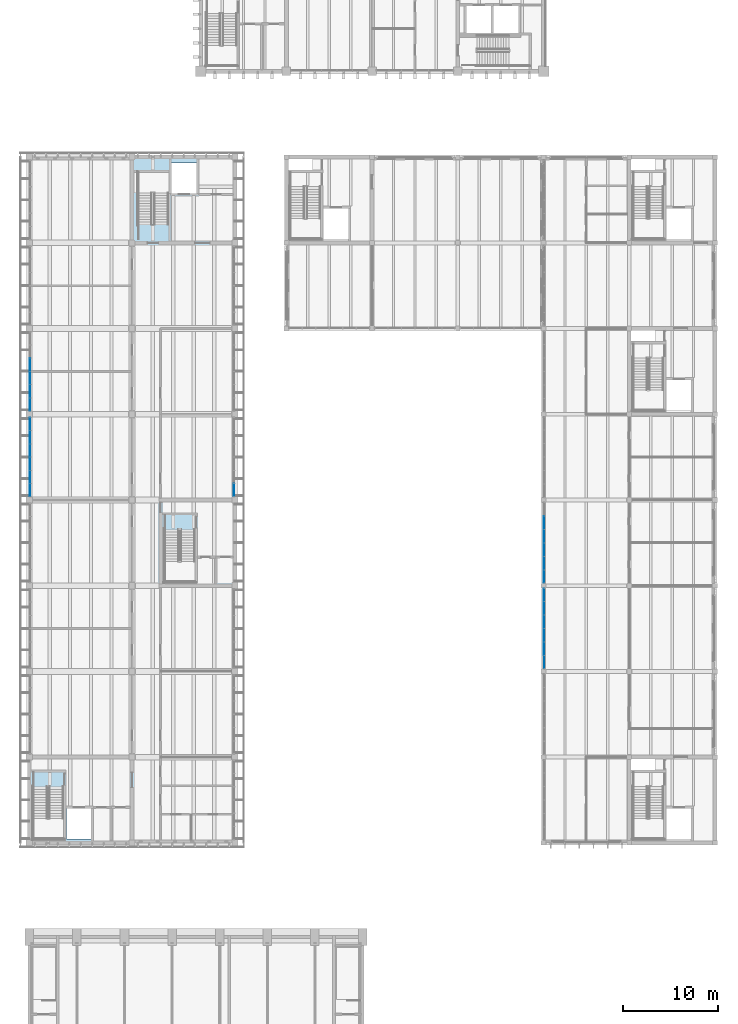
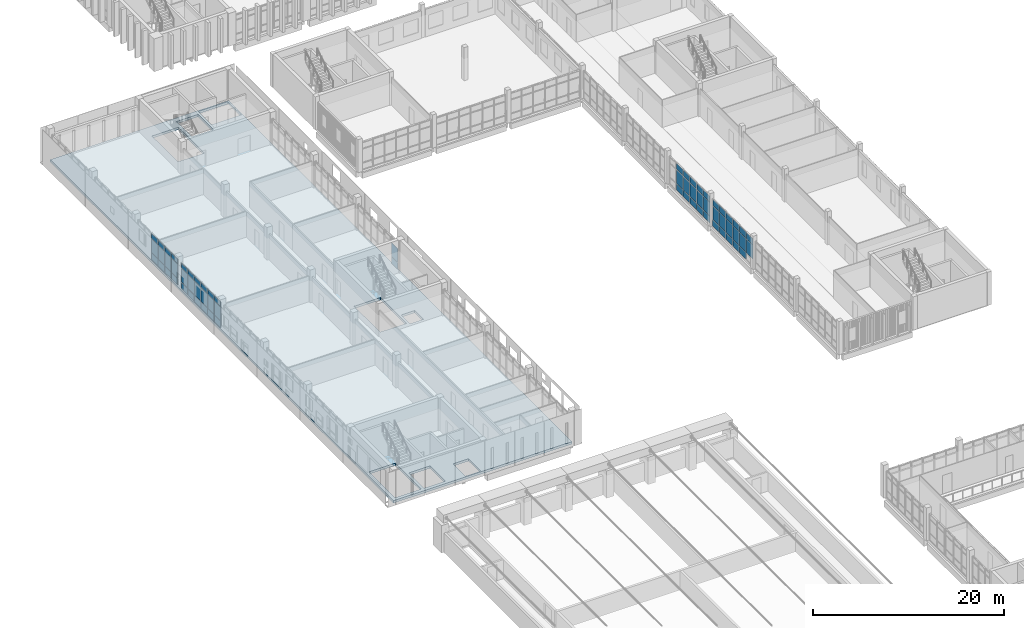
# One storey, part 40 of 92: 64 plates, 1 slab, 5 elements without a shape of their own.
"""IFC4 building model written with IfcOpenShell, lengths in metres."""

from ifc_helpers import new_model, si_unit, direction, frame, origin, origin_2d, place, context, subcontext, project, spatial, polyline, rectangle, outline, extrude, material, layer, layer_set, type_object, element, aggregate, save


model = new_model("IFC4")

# Units and contexts
model_context = context("Model", 3, precision=1e-05, world=origin(), true_north=direction((0.0, 1.0)))
body_context = subcontext(model_context, "Body", "Model", "MODEL_VIEW")
ifc_project = project(units=[si_unit("LENGTHUNIT", "METRE"), si_unit("AREAUNIT", "SQUARE_METRE"), si_unit("VOLUMEUNIT", "CUBIC_METRE"), si_unit("PLANEANGLEUNIT", "RADIAN"), si_unit("MASSUNIT", "GRAM", prefix="KILO")], contexts=[model_context])

# Site, building, storey
site_placement = place(None, origin())
site = spatial("IfcSite", under=ifc_project, at=site_placement, CompositionType="ELEMENT")
building_placement = place(site_placement, origin())
building = spatial("IfcBuilding", under=site, at=building_placement, Name="Merrow Basin Faculty of Sciences", CompositionType="ELEMENT")
storey_placement = place(building_placement, frame((0.0, 0.0, 4.5)))
storey = spatial("IfcBuildingStorey", under=building, at=storey_placement, Name="L01", CompositionType="ELEMENT", Elevation=4.5)

# Slab
ifc_material_1 = material(Name="Concrete C40/50", Category="concrete")
ifc_layer_1 = layer(ifc_material_1, 0.300048828125)
ifc_layer_set_1 = layer_set([ifc_layer_1], Name="Floor slab 300 Concrete C40/50")
slab_type = type_object("IfcSlabType", Name="Floor slab 300 Concrete C40/50", PredefinedType="FLOOR", material=ifc_layer_set_1)
slab_placement = place(storey_placement, frame((0.0, 0.0, -0.300048828125)))
element("IfcSlab", 1, at=slab_placement, inside=storey, type_object=slab_type, Name="SL11 floor L01 001", PredefinedType="FLOOR", context=body_context, shape_type="SweptSolid", body=[
    extrude(outline(polyline([(21.60009765625, 133.0), (21.60009765625, 61.0), (0.0, 61.0), (0.0, 133.0), (21.60009765625, 133.0)]), holes=[polyline([(21.449951171875, 130.074951171875), (21.449951171875, 132.85009765625), (17.824951171875, 132.85009765625), (17.824951171875, 130.074951171875), (21.449951171875, 130.074951171875)]), polyline([(19.2890625, 88.14990234375), (19.2890625, 90.0), (17.675048828125, 90.0), (17.675048828125, 88.14990234375), (19.2890625, 88.14990234375)]), polyline([(17.550048828125, 129.199951171875), (17.550048828125, 132.39990234375), (14.949951171875, 132.39990234375), (14.949951171875, 129.199951171875), (17.550048828125, 129.199951171875)]), polyline([(17.39990234375, 88.39990234375), (17.39990234375, 93.85009765625), (14.199951171875, 93.85009765625), (14.199951171875, 88.39990234375), (17.39990234375, 88.39990234375)]), polyline([(14.60009765625, 125.949951171875), (14.60009765625, 131.39990234375), (11.39990234375, 131.39990234375), (11.39990234375, 125.949951171875), (14.60009765625, 125.949951171875)]), polyline([(10.64990234375, 61.14990234375), (10.64990234375, 63.72509765625), (8.791015625, 63.72509765625), (8.791015625, 61.14990234375), (10.64990234375, 61.14990234375)]), polyline([(6.5, 61.39990234375), (6.5, 64.60009765625), (3.89990234375, 64.60009765625), (3.89990234375, 61.39990234375), (6.5, 61.39990234375)]), polyline([(3.60009765625, 61.39990234375), (3.60009765625, 66.85009765625), (0.39990234375, 66.85009765625), (0.39990234375, 61.39990234375), (3.60009765625, 61.39990234375)])]), origin(), (0.0, 0.0, 1.0), 0.300048828125),
])

# Curtain wall, plates
ifc_material_2 = material(Name="Aluminium alloy 6063", Category="aluminium")
curtain_wall_type_1 = type_object("IfcCurtainWallType", Name="Bar unitised curtain wall 180", PredefinedType="NOTDEFINED", material=ifc_material_2)
curtain_wall_1_placement = place(storey_placement, origin())
curtain_wall_1 = element("IfcCurtainWall", 2, at=curtain_wall_1_placement, inside=storey, type_object=curtain_wall_type_1, Name="West curtain wall L01 4", PredefinedType="NOTDEFINED")
ifc_material_3 = material(Name="Insulated aluminium spandrel panel", Category="aluminium")
ifc_layer_2 = layer(ifc_material_3, 0.052001953125)
ifc_layer_set_2 = layer_set([ifc_layer_2], Name="Insulated spandrel panel 52")
plate_type_1 = type_object("IfcPlateType", Name="Insulated spandrel panel 52", PredefinedType="CURTAIN_PANEL", material=ifc_layer_set_2)
plate_1_placement = place(storey_placement, frame((0.090087890625, 98.035888671875, 0.06005859375), z_axis=(0.0, 0.0, 1.0), x_axis=(0.0, 1.0, 0.0)))
plate_1 = element("IfcPlate", 3, at=plate_1_placement, type_object=plate_type_1, Name="CW1 panel 1.1", PredefinedType="CURTAIN_PANEL", context=body_context, shape_type="SweptSolid", body=[
    extrude(rectangle(XDim=1.3017578125, YDim=0.052001953125, at=origin_2d()), origin(), (0.0, 0.0, 1.0), 0.81005859375),
])
plate_2_placement = place(storey_placement, frame((0.090087890625, 99.41259765625, 0.06005859375), z_axis=(0.0, 0.0, 1.0), x_axis=(0.0, 1.0, 0.0)))
plate_2 = element("IfcPlate", 4, at=plate_2_placement, type_object=plate_type_1, Name="CW1 panel 2.1", PredefinedType="CURTAIN_PANEL", context=body_context, shape_type="SweptSolid", body=[
    extrude(rectangle(XDim=1.331787109375, YDim=0.052001953125, at=origin_2d()), origin(), (0.0, 0.0, 1.0), 0.81005859375),
])
plate_3_placement = place(storey_placement, frame((0.090087890625, 100.80419921875, 0.06005859375), z_axis=(0.0, 0.0, 1.0), x_axis=(0.0, 1.0, 0.0)))
plate_3 = element("IfcPlate", 5, at=plate_3_placement, type_object=plate_type_1, Name="CW1 panel 3.1", PredefinedType="CURTAIN_PANEL", context=body_context, shape_type="SweptSolid", body=[
    extrude(rectangle(XDim=1.331787109375, YDim=0.052001953125, at=origin_2d()), origin(), (0.0, 0.0, 1.0), 0.81005859375),
])
plate_4_placement = place(storey_placement, frame((0.090087890625, 102.19580078125, 0.06005859375), z_axis=(0.0, 0.0, 1.0), x_axis=(0.0, 1.0, 0.0)))
plate_4 = element("IfcPlate", 6, at=plate_4_placement, type_object=plate_type_1, Name="CW1 panel 4.1", PredefinedType="CURTAIN_PANEL", context=body_context, shape_type="SweptSolid", body=[
    extrude(rectangle(XDim=1.331787109375, YDim=0.052001953125, at=origin_2d()), origin(), (0.0, 0.0, 1.0), 0.81005859375),
])
plate_5_placement = place(storey_placement, frame((0.090087890625, 103.58740234375, 0.06005859375), z_axis=(0.0, 0.0, 1.0), x_axis=(0.0, 1.0, 0.0)))
plate_5 = element("IfcPlate", 7, at=plate_5_placement, type_object=plate_type_1, Name="CW1 panel 5.1", PredefinedType="CURTAIN_PANEL", context=body_context, shape_type="SweptSolid", body=[
    extrude(rectangle(XDim=1.331787109375, YDim=0.052001953125, at=origin_2d()), origin(), (0.0, 0.0, 1.0), 0.81005859375),
])
plate_6_placement = place(storey_placement, frame((0.090087890625, 104.964111328125, 0.06005859375), z_axis=(0.0, 0.0, 1.0), x_axis=(0.0, 1.0, 0.0)))
plate_6 = element("IfcPlate", 8, at=plate_6_placement, type_object=plate_type_1, Name="CW1 panel 6.1", PredefinedType="CURTAIN_PANEL", context=body_context, shape_type="SweptSolid", body=[
    extrude(rectangle(XDim=1.3017578125, YDim=0.052001953125, at=origin_2d()), origin(), (0.0, 0.0, 1.0), 0.81005859375),
])

curtain_wall_2_placement = place(storey_placement, origin())
curtain_wall_2 = element("IfcCurtainWall", 9, at=curtain_wall_2_placement, inside=storey, type_object=curtain_wall_type_1, Name="West curtain wall L01 5", PredefinedType="NOTDEFINED")
plate_7_placement = place(storey_placement, frame((0.090087890625, 107.035888671875, 0.06005859375), z_axis=(0.0, 0.0, 1.0), x_axis=(0.0, 1.0, 0.0)))
plate_7 = element("IfcPlate", 10, at=plate_7_placement, type_object=plate_type_1, Name="CW1 panel 1.1", PredefinedType="CURTAIN_PANEL", context=body_context, shape_type="SweptSolid", body=[
    extrude(rectangle(XDim=1.3017578125, YDim=0.052001953125, at=origin_2d()), origin(), (0.0, 0.0, 1.0), 0.81005859375),
])
plate_8_placement = place(storey_placement, frame((0.090087890625, 108.41259765625, 0.06005859375), z_axis=(0.0, 0.0, 1.0), x_axis=(0.0, 1.0, 0.0)))
plate_8 = element("IfcPlate", 11, at=plate_8_placement, type_object=plate_type_1, Name="CW1 panel 2.1", PredefinedType="CURTAIN_PANEL", context=body_context, shape_type="SweptSolid", body=[
    extrude(rectangle(XDim=1.331787109375, YDim=0.052001953125, at=origin_2d()), origin(), (0.0, 0.0, 1.0), 0.81005859375),
])
plate_9_placement = place(storey_placement, frame((0.090087890625, 109.80419921875, 0.06005859375), z_axis=(0.0, 0.0, 1.0), x_axis=(0.0, 1.0, 0.0)))
plate_9 = element("IfcPlate", 12, at=plate_9_placement, type_object=plate_type_1, Name="CW1 panel 3.1", PredefinedType="CURTAIN_PANEL", context=body_context, shape_type="SweptSolid", body=[
    extrude(rectangle(XDim=1.331787109375, YDim=0.052001953125, at=origin_2d()), origin(), (0.0, 0.0, 1.0), 0.81005859375),
])
plate_10_placement = place(storey_placement, frame((0.090087890625, 111.19580078125, 0.06005859375), z_axis=(0.0, 0.0, 1.0), x_axis=(0.0, 1.0, 0.0)))
plate_10 = element("IfcPlate", 13, at=plate_10_placement, type_object=plate_type_1, Name="CW1 panel 4.1", PredefinedType="CURTAIN_PANEL", context=body_context, shape_type="SweptSolid", body=[
    extrude(rectangle(XDim=1.331787109375, YDim=0.052001953125, at=origin_2d()), origin(), (0.0, 0.0, 1.0), 0.81005859375),
])

# Curtain wall, plate
curtain_wall_3_placement = place(storey_placement, origin())
curtain_wall_3 = element("IfcCurtainWall", 14, at=curtain_wall_3_placement, inside=storey, type_object=curtain_wall_type_1, Name="East curtain wall L01 4", PredefinedType="NOTDEFINED")
plate_11_placement = place(storey_placement, frame((21.510009765625, 98.035888671875, 0.06005859375), z_axis=(0.0, 0.0, 1.0), x_axis=(0.0, 1.0, 0.0)))
plate_11 = element("IfcPlate", 15, at=plate_11_placement, type_object=plate_type_1, Name="CW1 panel 1.1", PredefinedType="CURTAIN_PANEL", context=body_context, shape_type="SweptSolid", body=[
    extrude(rectangle(XDim=1.3017578125, YDim=0.052001953125, at=origin_2d()), origin(), (0.0, 0.0, 1.0), 0.81005859375),
])

# Curtain wall, plates
ifc_material_4 = material(Name="Aluminium alloy 6063", Category="aluminium")
curtain_wall_type_2 = type_object("IfcCurtainWallType", Name="Court curtain wall 140", PredefinedType="NOTDEFINED", material=ifc_material_4)
curtain_wall_4_placement = place(storey_placement, origin())
curtain_wall_4 = element("IfcCurtainWall", 16, at=curtain_wall_4_placement, inside=storey, type_object=curtain_wall_type_2, Name="Court curtain wall L01 3", PredefinedType="NOTDEFINED")
plate_12_placement = place(storey_placement, frame((54.070068359375, 81.375, 0.06005859375), z_axis=(0.0, 0.0, 1.0), x_axis=(0.0, 1.0, 0.0)))
plate_12 = element("IfcPlate", 17, at=plate_12_placement, type_object=plate_type_1, Name="CW8 panel 2.1", PredefinedType="CURTAIN_PANEL", context=body_context, shape_type="SweptSolid", body=[
    extrude(rectangle(XDim=1.356689453125, YDim=0.052001953125, at=origin_2d()), origin(), (0.0, 0.0, 1.0), 0.81005859375),
])
plate_13_placement = place(storey_placement, frame((54.070068359375, 82.791748046875, 0.06005859375), z_axis=(0.0, 0.0, 1.0), x_axis=(0.0, 1.0, 0.0)))
plate_13 = element("IfcPlate", 18, at=plate_13_placement, type_object=plate_type_1, Name="CW8 panel 3.1", PredefinedType="CURTAIN_PANEL", context=body_context, shape_type="SweptSolid", body=[
    extrude(rectangle(XDim=1.356689453125, YDim=0.052001953125, at=origin_2d()), origin(), (0.0, 0.0, 1.0), 0.81005859375),
])
plate_14_placement = place(storey_placement, frame((54.070068359375, 84.208251953125, 0.06005859375), z_axis=(0.0, 0.0, 1.0), x_axis=(0.0, 1.0, 0.0)))
plate_14 = element("IfcPlate", 19, at=plate_14_placement, type_object=plate_type_1, Name="CW8 panel 4.1", PredefinedType="CURTAIN_PANEL", context=body_context, shape_type="SweptSolid", body=[
    extrude(rectangle(XDim=1.356689453125, YDim=0.052001953125, at=origin_2d()), origin(), (0.0, 0.0, 1.0), 0.81005859375),
])
plate_15_placement = place(storey_placement, frame((54.070068359375, 85.625, 0.06005859375), z_axis=(0.0, 0.0, 1.0), x_axis=(0.0, 1.0, 0.0)))
plate_15 = element("IfcPlate", 20, at=plate_15_placement, type_object=plate_type_1, Name="CW8 panel 5.1", PredefinedType="CURTAIN_PANEL", context=body_context, shape_type="SweptSolid", body=[
    extrude(rectangle(XDim=1.356689453125, YDim=0.052001953125, at=origin_2d()), origin(), (0.0, 0.0, 1.0), 0.81005859375),
])
plate_16_placement = place(storey_placement, frame((54.070068359375, 87.026611328125, 0.06005859375), z_axis=(0.0, 0.0, 1.0), x_axis=(0.0, 1.0, 0.0)))
plate_16 = element("IfcPlate", 21, at=plate_16_placement, type_object=plate_type_1, Name="CW8 panel 6.1", PredefinedType="CURTAIN_PANEL", context=body_context, shape_type="SweptSolid", body=[
    extrude(rectangle(XDim=1.32666015625, YDim=0.052001953125, at=origin_2d()), origin(), (0.0, 0.0, 1.0), 0.81005859375),
])

curtain_wall_5_placement = place(storey_placement, origin())
curtain_wall_5 = element("IfcCurtainWall", 22, at=curtain_wall_5_placement, inside=storey, type_object=curtain_wall_type_2, Name="Court curtain wall L01 4", PredefinedType="NOTDEFINED")
plate_17_placement = place(storey_placement, frame((54.070068359375, 88.973388671875, 0.06005859375), z_axis=(0.0, 0.0, 1.0), x_axis=(0.0, 1.0, 0.0)))
plate_17 = element("IfcPlate", 23, at=plate_17_placement, type_object=plate_type_1, Name="CW8 panel 1.1", PredefinedType="CURTAIN_PANEL", context=body_context, shape_type="SweptSolid", body=[
    extrude(rectangle(XDim=1.32666015625, YDim=0.052001953125, at=origin_2d()), origin(), (0.0, 0.0, 1.0), 0.81005859375),
])
plate_18_placement = place(storey_placement, frame((54.070068359375, 90.375, 0.06005859375), z_axis=(0.0, 0.0, 1.0), x_axis=(0.0, 1.0, 0.0)))
plate_18 = element("IfcPlate", 24, at=plate_18_placement, type_object=plate_type_1, Name="CW8 panel 2.1", PredefinedType="CURTAIN_PANEL", context=body_context, shape_type="SweptSolid", body=[
    extrude(rectangle(XDim=1.356689453125, YDim=0.052001953125, at=origin_2d()), origin(), (0.0, 0.0, 1.0), 0.81005859375),
])
plate_19_placement = place(storey_placement, frame((54.070068359375, 91.791748046875, 0.06005859375), z_axis=(0.0, 0.0, 1.0), x_axis=(0.0, 1.0, 0.0)))
plate_19 = element("IfcPlate", 25, at=plate_19_placement, type_object=plate_type_1, Name="CW8 panel 3.1", PredefinedType="CURTAIN_PANEL", context=body_context, shape_type="SweptSolid", body=[
    extrude(rectangle(XDim=1.356689453125, YDim=0.052001953125, at=origin_2d()), origin(), (0.0, 0.0, 1.0), 0.81005859375),
])
plate_20_placement = place(storey_placement, frame((54.070068359375, 93.208251953125, 0.06005859375), z_axis=(0.0, 0.0, 1.0), x_axis=(0.0, 1.0, 0.0)))
plate_20 = element("IfcPlate", 26, at=plate_20_placement, type_object=plate_type_1, Name="CW8 panel 4.1", PredefinedType="CURTAIN_PANEL", context=body_context, shape_type="SweptSolid", body=[
    extrude(rectangle(XDim=1.356689453125, YDim=0.052001953125, at=origin_2d()), origin(), (0.0, 0.0, 1.0), 0.81005859375),
])
plate_21_placement = place(storey_placement, frame((54.070068359375, 94.625, 0.06005859375), z_axis=(0.0, 0.0, 1.0), x_axis=(0.0, 1.0, 0.0)))
plate_21 = element("IfcPlate", 27, at=plate_21_placement, type_object=plate_type_1, Name="CW8 panel 5.1", PredefinedType="CURTAIN_PANEL", context=body_context, shape_type="SweptSolid", body=[
    extrude(rectangle(XDim=1.356689453125, YDim=0.052001953125, at=origin_2d()), origin(), (0.0, 0.0, 1.0), 0.81005859375),
])

# Plate
ifc_material_5 = material(Name="Low-E double glazing", Category="glass")
ifc_layer_3 = layer(ifc_material_5, 0.028076171875)
ifc_layer_set_3 = layer_set([ifc_layer_3], Name="Low-E double glazed panel 28")
plate_type_2 = type_object("IfcPlateType", Name="Low-E double glazed panel 28", PredefinedType="CURTAIN_PANEL", material=ifc_layer_set_3)
plate_22_placement = place(storey_placement, frame((0.090087890625, 98.035888671875, 0.93017578125), z_axis=(0.0, 0.0, 1.0), x_axis=(0.0, 1.0, 0.0)))
plate_22 = element("IfcPlate", 28, at=plate_22_placement, type_object=plate_type_2, Name="CW1 panel 1.2", PredefinedType="CURTAIN_PANEL", context=body_context, shape_type="SweptSolid", body=[
    extrude(rectangle(XDim=1.3017578125, YDim=0.028076171875, at=origin_2d()), origin(), (0.0, 0.0, 1.0), 1.739990234375),
])

plate_23_placement = place(storey_placement, frame((0.090087890625, 98.035888671875, 2.72998046875), z_axis=(0.0, 0.0, 1.0), x_axis=(0.0, 1.0, 0.0)))
plate_23 = element("IfcPlate", 29, at=plate_23_placement, type_object=plate_type_2, Name="CW1 panel 1.3", PredefinedType="CURTAIN_PANEL", context=body_context, shape_type="SweptSolid", body=[
    extrude(rectangle(XDim=1.3017578125, YDim=0.028076171875, at=origin_2d()), origin(), (0.0, 0.0, 1.0), 0.610107421875),
])

plate_24_placement = place(storey_placement, frame((0.090087890625, 99.41259765625, 0.93017578125), z_axis=(0.0, 0.0, 1.0), x_axis=(0.0, 1.0, 0.0)))
plate_24 = element("IfcPlate", 30, at=plate_24_placement, type_object=plate_type_2, Name="CW1 panel 2.2", PredefinedType="CURTAIN_PANEL", context=body_context, shape_type="SweptSolid", body=[
    extrude(rectangle(XDim=1.331787109375, YDim=0.028076171875, at=origin_2d()), origin(), (0.0, 0.0, 1.0), 1.739990234375),
])

plate_25_placement = place(storey_placement, frame((0.090087890625, 99.41259765625, 2.72998046875), z_axis=(0.0, 0.0, 1.0), x_axis=(0.0, 1.0, 0.0)))
plate_25 = element("IfcPlate", 31, at=plate_25_placement, type_object=plate_type_2, Name="CW1 panel 2.3", PredefinedType="CURTAIN_PANEL", context=body_context, shape_type="SweptSolid", body=[
    extrude(rectangle(XDim=1.331787109375, YDim=0.028076171875, at=origin_2d()), origin(), (0.0, 0.0, 1.0), 0.610107421875),
])

plate_26_placement = place(storey_placement, frame((0.090087890625, 100.80419921875, 0.93017578125), z_axis=(0.0, 0.0, 1.0), x_axis=(0.0, 1.0, 0.0)))
plate_26 = element("IfcPlate", 32, at=plate_26_placement, type_object=plate_type_2, Name="CW1 panel 3.2", PredefinedType="CURTAIN_PANEL", context=body_context, shape_type="SweptSolid", body=[
    extrude(rectangle(XDim=1.331787109375, YDim=0.028076171875, at=origin_2d()), origin(), (0.0, 0.0, 1.0), 1.739990234375),
])

plate_27_placement = place(storey_placement, frame((0.090087890625, 100.80419921875, 2.72998046875), z_axis=(0.0, 0.0, 1.0), x_axis=(0.0, 1.0, 0.0)))
plate_27 = element("IfcPlate", 33, at=plate_27_placement, type_object=plate_type_2, Name="CW1 panel 3.3", PredefinedType="CURTAIN_PANEL", context=body_context, shape_type="SweptSolid", body=[
    extrude(rectangle(XDim=1.331787109375, YDim=0.028076171875, at=origin_2d()), origin(), (0.0, 0.0, 1.0), 0.610107421875),
])

plate_28_placement = place(storey_placement, frame((0.090087890625, 102.19580078125, 0.93017578125), z_axis=(0.0, 0.0, 1.0), x_axis=(0.0, 1.0, 0.0)))
plate_28 = element("IfcPlate", 34, at=plate_28_placement, type_object=plate_type_2, Name="CW1 panel 4.2", PredefinedType="CURTAIN_PANEL", context=body_context, shape_type="SweptSolid", body=[
    extrude(rectangle(XDim=1.331787109375, YDim=0.028076171875, at=origin_2d()), origin(), (0.0, 0.0, 1.0), 1.739990234375),
])

plate_29_placement = place(storey_placement, frame((0.090087890625, 102.19580078125, 2.72998046875), z_axis=(0.0, 0.0, 1.0), x_axis=(0.0, 1.0, 0.0)))
plate_29 = element("IfcPlate", 35, at=plate_29_placement, type_object=plate_type_2, Name="CW1 panel 4.3", PredefinedType="CURTAIN_PANEL", context=body_context, shape_type="SweptSolid", body=[
    extrude(rectangle(XDim=1.331787109375, YDim=0.028076171875, at=origin_2d()), origin(), (0.0, 0.0, 1.0), 0.610107421875),
])

plate_30_placement = place(storey_placement, frame((0.090087890625, 103.58740234375, 0.93017578125), z_axis=(0.0, 0.0, 1.0), x_axis=(0.0, 1.0, 0.0)))
plate_30 = element("IfcPlate", 36, at=plate_30_placement, type_object=plate_type_2, Name="CW1 panel 5.2", PredefinedType="CURTAIN_PANEL", context=body_context, shape_type="SweptSolid", body=[
    extrude(rectangle(XDim=1.331787109375, YDim=0.028076171875, at=origin_2d()), origin(), (0.0, 0.0, 1.0), 1.739990234375),
])

plate_31_placement = place(storey_placement, frame((0.090087890625, 103.58740234375, 2.72998046875), z_axis=(0.0, 0.0, 1.0), x_axis=(0.0, 1.0, 0.0)))
plate_31 = element("IfcPlate", 37, at=plate_31_placement, type_object=plate_type_2, Name="CW1 panel 5.3", PredefinedType="CURTAIN_PANEL", context=body_context, shape_type="SweptSolid", body=[
    extrude(rectangle(XDim=1.331787109375, YDim=0.028076171875, at=origin_2d()), origin(), (0.0, 0.0, 1.0), 0.610107421875),
])

plate_32_placement = place(storey_placement, frame((0.090087890625, 104.964111328125, 0.93017578125), z_axis=(0.0, 0.0, 1.0), x_axis=(0.0, 1.0, 0.0)))
plate_32 = element("IfcPlate", 38, at=plate_32_placement, type_object=plate_type_2, Name="CW1 panel 6.2", PredefinedType="CURTAIN_PANEL", context=body_context, shape_type="SweptSolid", body=[
    extrude(rectangle(XDim=1.3017578125, YDim=0.028076171875, at=origin_2d()), origin(), (0.0, 0.0, 1.0), 1.739990234375),
])

plate_33_placement = place(storey_placement, frame((0.090087890625, 104.964111328125, 2.72998046875), z_axis=(0.0, 0.0, 1.0), x_axis=(0.0, 1.0, 0.0)))
plate_33 = element("IfcPlate", 39, at=plate_33_placement, type_object=plate_type_2, Name="CW1 panel 6.3", PredefinedType="CURTAIN_PANEL", context=body_context, shape_type="SweptSolid", body=[
    extrude(rectangle(XDim=1.3017578125, YDim=0.028076171875, at=origin_2d()), origin(), (0.0, 0.0, 1.0), 0.610107421875),
])

aggregate(curtain_wall_1, [plate_1, plate_22, plate_23, plate_2, plate_24, plate_25, plate_3, plate_26, plate_27, plate_4, plate_28, plate_29, plate_5, plate_30, plate_31, plate_6, plate_32, plate_33])

plate_34_placement = place(storey_placement, frame((0.090087890625, 107.035888671875, 0.93017578125), z_axis=(0.0, 0.0, 1.0), x_axis=(0.0, 1.0, 0.0)))
plate_34 = element("IfcPlate", 40, at=plate_34_placement, type_object=plate_type_2, Name="CW1 panel 1.2", PredefinedType="CURTAIN_PANEL", context=body_context, shape_type="SweptSolid", body=[
    extrude(rectangle(XDim=1.3017578125, YDim=0.028076171875, at=origin_2d()), origin(), (0.0, 0.0, 1.0), 1.739990234375),
])

plate_35_placement = place(storey_placement, frame((0.090087890625, 107.035888671875, 2.72998046875), z_axis=(0.0, 0.0, 1.0), x_axis=(0.0, 1.0, 0.0)))
plate_35 = element("IfcPlate", 41, at=plate_35_placement, type_object=plate_type_2, Name="CW1 panel 1.3", PredefinedType="CURTAIN_PANEL", context=body_context, shape_type="SweptSolid", body=[
    extrude(rectangle(XDim=1.3017578125, YDim=0.028076171875, at=origin_2d()), origin(), (0.0, 0.0, 1.0), 0.610107421875),
])

plate_36_placement = place(storey_placement, frame((0.090087890625, 108.41259765625, 0.93017578125), z_axis=(0.0, 0.0, 1.0), x_axis=(0.0, 1.0, 0.0)))
plate_36 = element("IfcPlate", 42, at=plate_36_placement, type_object=plate_type_2, Name="CW1 panel 2.2", PredefinedType="CURTAIN_PANEL", context=body_context, shape_type="SweptSolid", body=[
    extrude(rectangle(XDim=1.331787109375, YDim=0.028076171875, at=origin_2d()), origin(), (0.0, 0.0, 1.0), 1.739990234375),
])

plate_37_placement = place(storey_placement, frame((0.090087890625, 108.41259765625, 2.72998046875), z_axis=(0.0, 0.0, 1.0), x_axis=(0.0, 1.0, 0.0)))
plate_37 = element("IfcPlate", 43, at=plate_37_placement, type_object=plate_type_2, Name="CW1 panel 2.3", PredefinedType="CURTAIN_PANEL", context=body_context, shape_type="SweptSolid", body=[
    extrude(rectangle(XDim=1.331787109375, YDim=0.028076171875, at=origin_2d()), origin(), (0.0, 0.0, 1.0), 0.610107421875),
])

plate_38_placement = place(storey_placement, frame((0.090087890625, 109.80419921875, 0.93017578125), z_axis=(0.0, 0.0, 1.0), x_axis=(0.0, 1.0, 0.0)))
plate_38 = element("IfcPlate", 44, at=plate_38_placement, type_object=plate_type_2, Name="CW1 panel 3.2", PredefinedType="CURTAIN_PANEL", context=body_context, shape_type="SweptSolid", body=[
    extrude(rectangle(XDim=1.331787109375, YDim=0.028076171875, at=origin_2d()), origin(), (0.0, 0.0, 1.0), 1.739990234375),
])

plate_39_placement = place(storey_placement, frame((0.090087890625, 109.80419921875, 2.72998046875), z_axis=(0.0, 0.0, 1.0), x_axis=(0.0, 1.0, 0.0)))
plate_39 = element("IfcPlate", 45, at=plate_39_placement, type_object=plate_type_2, Name="CW1 panel 3.3", PredefinedType="CURTAIN_PANEL", context=body_context, shape_type="SweptSolid", body=[
    extrude(rectangle(XDim=1.331787109375, YDim=0.028076171875, at=origin_2d()), origin(), (0.0, 0.0, 1.0), 0.610107421875),
])

plate_40_placement = place(storey_placement, frame((0.090087890625, 111.19580078125, 0.93017578125), z_axis=(0.0, 0.0, 1.0), x_axis=(0.0, 1.0, 0.0)))
plate_40 = element("IfcPlate", 46, at=plate_40_placement, type_object=plate_type_2, Name="CW1 panel 4.2", PredefinedType="CURTAIN_PANEL", context=body_context, shape_type="SweptSolid", body=[
    extrude(rectangle(XDim=1.331787109375, YDim=0.028076171875, at=origin_2d()), origin(), (0.0, 0.0, 1.0), 1.739990234375),
])

plate_41_placement = place(storey_placement, frame((0.090087890625, 111.19580078125, 2.72998046875), z_axis=(0.0, 0.0, 1.0), x_axis=(0.0, 1.0, 0.0)))
plate_41 = element("IfcPlate", 47, at=plate_41_placement, type_object=plate_type_2, Name="CW1 panel 4.3", PredefinedType="CURTAIN_PANEL", context=body_context, shape_type="SweptSolid", body=[
    extrude(rectangle(XDim=1.331787109375, YDim=0.028076171875, at=origin_2d()), origin(), (0.0, 0.0, 1.0), 0.610107421875),
])

aggregate(curtain_wall_2, [plate_7, plate_34, plate_35, plate_8, plate_36, plate_37, plate_9, plate_38, plate_39, plate_10, plate_40, plate_41])

plate_42_placement = place(storey_placement, frame((21.510009765625, 98.035888671875, 0.93017578125), z_axis=(0.0, 0.0, 1.0), x_axis=(0.0, 1.0, 0.0)))
plate_42 = element("IfcPlate", 48, at=plate_42_placement, type_object=plate_type_2, Name="CW1 panel 1.2", PredefinedType="CURTAIN_PANEL", context=body_context, shape_type="SweptSolid", body=[
    extrude(rectangle(XDim=1.3017578125, YDim=0.028076171875, at=origin_2d()), origin(), (0.0, 0.0, 1.0), 1.739990234375),
])

aggregate(curtain_wall_3, [plate_11, plate_42])

plate_43_placement = place(storey_placement, frame((54.070068359375, 79.973388671875, 0.93017578125), z_axis=(0.0, 0.0, 1.0), x_axis=(0.0, 1.0, 0.0)))
plate_43 = element("IfcPlate", 49, at=plate_43_placement, type_object=plate_type_2, Name="CW8 panel 1.2", PredefinedType="CURTAIN_PANEL", context=body_context, shape_type="SweptSolid", body=[
    extrude(rectangle(XDim=1.32666015625, YDim=0.028076171875, at=origin_2d()), origin(), (0.0, 0.0, 1.0), 1.739990234375),
])

plate_44_placement = place(storey_placement, frame((54.070068359375, 79.973388671875, 2.72998046875), z_axis=(0.0, 0.0, 1.0), x_axis=(0.0, 1.0, 0.0)))
plate_44 = element("IfcPlate", 50, at=plate_44_placement, type_object=plate_type_2, Name="CW8 panel 1.3", PredefinedType="CURTAIN_PANEL", context=body_context, shape_type="SweptSolid", body=[
    extrude(rectangle(XDim=1.32666015625, YDim=0.028076171875, at=origin_2d()), origin(), (0.0, 0.0, 1.0), 0.760009765625),
])

plate_45_placement = place(storey_placement, frame((54.070068359375, 81.375, 0.93017578125), z_axis=(0.0, 0.0, 1.0), x_axis=(0.0, 1.0, 0.0)))
plate_45 = element("IfcPlate", 51, at=plate_45_placement, type_object=plate_type_2, Name="CW8 panel 2.2", PredefinedType="CURTAIN_PANEL", context=body_context, shape_type="SweptSolid", body=[
    extrude(rectangle(XDim=1.356689453125, YDim=0.028076171875, at=origin_2d()), origin(), (0.0, 0.0, 1.0), 1.739990234375),
])

plate_46_placement = place(storey_placement, frame((54.070068359375, 81.375, 2.72998046875), z_axis=(0.0, 0.0, 1.0), x_axis=(0.0, 1.0, 0.0)))
plate_46 = element("IfcPlate", 52, at=plate_46_placement, type_object=plate_type_2, Name="CW8 panel 2.3", PredefinedType="CURTAIN_PANEL", context=body_context, shape_type="SweptSolid", body=[
    extrude(rectangle(XDim=1.356689453125, YDim=0.028076171875, at=origin_2d()), origin(), (0.0, 0.0, 1.0), 0.760009765625),
])

plate_47_placement = place(storey_placement, frame((54.070068359375, 82.791748046875, 0.93017578125), z_axis=(0.0, 0.0, 1.0), x_axis=(0.0, 1.0, 0.0)))
plate_47 = element("IfcPlate", 53, at=plate_47_placement, type_object=plate_type_2, Name="CW8 panel 3.2", PredefinedType="CURTAIN_PANEL", context=body_context, shape_type="SweptSolid", body=[
    extrude(rectangle(XDim=1.356689453125, YDim=0.028076171875, at=origin_2d()), origin(), (0.0, 0.0, 1.0), 1.739990234375),
])

plate_48_placement = place(storey_placement, frame((54.070068359375, 82.791748046875, 2.72998046875), z_axis=(0.0, 0.0, 1.0), x_axis=(0.0, 1.0, 0.0)))
plate_48 = element("IfcPlate", 54, at=plate_48_placement, type_object=plate_type_2, Name="CW8 panel 3.3", PredefinedType="CURTAIN_PANEL", context=body_context, shape_type="SweptSolid", body=[
    extrude(rectangle(XDim=1.356689453125, YDim=0.028076171875, at=origin_2d()), origin(), (0.0, 0.0, 1.0), 0.760009765625),
])

plate_49_placement = place(storey_placement, frame((54.070068359375, 84.208251953125, 0.93017578125), z_axis=(0.0, 0.0, 1.0), x_axis=(0.0, 1.0, 0.0)))
plate_49 = element("IfcPlate", 55, at=plate_49_placement, type_object=plate_type_2, Name="CW8 panel 4.2", PredefinedType="CURTAIN_PANEL", context=body_context, shape_type="SweptSolid", body=[
    extrude(rectangle(XDim=1.356689453125, YDim=0.028076171875, at=origin_2d()), origin(), (0.0, 0.0, 1.0), 1.739990234375),
])

plate_50_placement = place(storey_placement, frame((54.070068359375, 84.208251953125, 2.72998046875), z_axis=(0.0, 0.0, 1.0), x_axis=(0.0, 1.0, 0.0)))
plate_50 = element("IfcPlate", 56, at=plate_50_placement, type_object=plate_type_2, Name="CW8 panel 4.3", PredefinedType="CURTAIN_PANEL", context=body_context, shape_type="SweptSolid", body=[
    extrude(rectangle(XDim=1.356689453125, YDim=0.028076171875, at=origin_2d()), origin(), (0.0, 0.0, 1.0), 0.760009765625),
])

plate_51_placement = place(storey_placement, frame((54.070068359375, 85.625, 0.93017578125), z_axis=(0.0, 0.0, 1.0), x_axis=(0.0, 1.0, 0.0)))
plate_51 = element("IfcPlate", 57, at=plate_51_placement, type_object=plate_type_2, Name="CW8 panel 5.2", PredefinedType="CURTAIN_PANEL", context=body_context, shape_type="SweptSolid", body=[
    extrude(rectangle(XDim=1.356689453125, YDim=0.028076171875, at=origin_2d()), origin(), (0.0, 0.0, 1.0), 1.739990234375),
])

plate_52_placement = place(storey_placement, frame((54.070068359375, 85.625, 2.72998046875), z_axis=(0.0, 0.0, 1.0), x_axis=(0.0, 1.0, 0.0)))
plate_52 = element("IfcPlate", 58, at=plate_52_placement, type_object=plate_type_2, Name="CW8 panel 5.3", PredefinedType="CURTAIN_PANEL", context=body_context, shape_type="SweptSolid", body=[
    extrude(rectangle(XDim=1.356689453125, YDim=0.028076171875, at=origin_2d()), origin(), (0.0, 0.0, 1.0), 0.760009765625),
])

plate_53_placement = place(storey_placement, frame((54.070068359375, 87.026611328125, 0.93017578125), z_axis=(0.0, 0.0, 1.0), x_axis=(0.0, 1.0, 0.0)))
plate_53 = element("IfcPlate", 59, at=plate_53_placement, type_object=plate_type_2, Name="CW8 panel 6.2", PredefinedType="CURTAIN_PANEL", context=body_context, shape_type="SweptSolid", body=[
    extrude(rectangle(XDim=1.32666015625, YDim=0.028076171875, at=origin_2d()), origin(), (0.0, 0.0, 1.0), 1.739990234375),
])

plate_54_placement = place(storey_placement, frame((54.070068359375, 87.026611328125, 2.72998046875), z_axis=(0.0, 0.0, 1.0), x_axis=(0.0, 1.0, 0.0)))
plate_54 = element("IfcPlate", 60, at=plate_54_placement, type_object=plate_type_2, Name="CW8 panel 6.3", PredefinedType="CURTAIN_PANEL", context=body_context, shape_type="SweptSolid", body=[
    extrude(rectangle(XDim=1.32666015625, YDim=0.028076171875, at=origin_2d()), origin(), (0.0, 0.0, 1.0), 0.760009765625),
])

aggregate(curtain_wall_4, [plate_43, plate_44, plate_12, plate_45, plate_46, plate_13, plate_47, plate_48, plate_14, plate_49, plate_50, plate_15, plate_51, plate_52, plate_16, plate_53, plate_54])

plate_55_placement = place(storey_placement, frame((54.070068359375, 88.973388671875, 0.93017578125), z_axis=(0.0, 0.0, 1.0), x_axis=(0.0, 1.0, 0.0)))
plate_55 = element("IfcPlate", 61, at=plate_55_placement, type_object=plate_type_2, Name="CW8 panel 1.2", PredefinedType="CURTAIN_PANEL", context=body_context, shape_type="SweptSolid", body=[
    extrude(rectangle(XDim=1.32666015625, YDim=0.028076171875, at=origin_2d()), origin(), (0.0, 0.0, 1.0), 1.739990234375),
])

plate_56_placement = place(storey_placement, frame((54.070068359375, 88.973388671875, 2.72998046875), z_axis=(0.0, 0.0, 1.0), x_axis=(0.0, 1.0, 0.0)))
plate_56 = element("IfcPlate", 62, at=plate_56_placement, type_object=plate_type_2, Name="CW8 panel 1.3", PredefinedType="CURTAIN_PANEL", context=body_context, shape_type="SweptSolid", body=[
    extrude(rectangle(XDim=1.32666015625, YDim=0.028076171875, at=origin_2d()), origin(), (0.0, 0.0, 1.0), 0.760009765625),
])

plate_57_placement = place(storey_placement, frame((54.070068359375, 90.375, 0.93017578125), z_axis=(0.0, 0.0, 1.0), x_axis=(0.0, 1.0, 0.0)))
plate_57 = element("IfcPlate", 63, at=plate_57_placement, type_object=plate_type_2, Name="CW8 panel 2.2", PredefinedType="CURTAIN_PANEL", context=body_context, shape_type="SweptSolid", body=[
    extrude(rectangle(XDim=1.356689453125, YDim=0.028076171875, at=origin_2d()), origin(), (0.0, 0.0, 1.0), 1.739990234375),
])

plate_58_placement = place(storey_placement, frame((54.070068359375, 90.375, 2.72998046875), z_axis=(0.0, 0.0, 1.0), x_axis=(0.0, 1.0, 0.0)))
plate_58 = element("IfcPlate", 64, at=plate_58_placement, type_object=plate_type_2, Name="CW8 panel 2.3", PredefinedType="CURTAIN_PANEL", context=body_context, shape_type="SweptSolid", body=[
    extrude(rectangle(XDim=1.356689453125, YDim=0.028076171875, at=origin_2d()), origin(), (0.0, 0.0, 1.0), 0.760009765625),
])

plate_59_placement = place(storey_placement, frame((54.070068359375, 91.791748046875, 0.93017578125), z_axis=(0.0, 0.0, 1.0), x_axis=(0.0, 1.0, 0.0)))
plate_59 = element("IfcPlate", 65, at=plate_59_placement, type_object=plate_type_2, Name="CW8 panel 3.2", PredefinedType="CURTAIN_PANEL", context=body_context, shape_type="SweptSolid", body=[
    extrude(rectangle(XDim=1.356689453125, YDim=0.028076171875, at=origin_2d()), origin(), (0.0, 0.0, 1.0), 1.739990234375),
])

plate_60_placement = place(storey_placement, frame((54.070068359375, 91.791748046875, 2.72998046875), z_axis=(0.0, 0.0, 1.0), x_axis=(0.0, 1.0, 0.0)))
plate_60 = element("IfcPlate", 66, at=plate_60_placement, type_object=plate_type_2, Name="CW8 panel 3.3", PredefinedType="CURTAIN_PANEL", context=body_context, shape_type="SweptSolid", body=[
    extrude(rectangle(XDim=1.356689453125, YDim=0.028076171875, at=origin_2d()), origin(), (0.0, 0.0, 1.0), 0.760009765625),
])

plate_61_placement = place(storey_placement, frame((54.070068359375, 93.208251953125, 0.93017578125), z_axis=(0.0, 0.0, 1.0), x_axis=(0.0, 1.0, 0.0)))
plate_61 = element("IfcPlate", 67, at=plate_61_placement, type_object=plate_type_2, Name="CW8 panel 4.2", PredefinedType="CURTAIN_PANEL", context=body_context, shape_type="SweptSolid", body=[
    extrude(rectangle(XDim=1.356689453125, YDim=0.028076171875, at=origin_2d()), origin(), (0.0, 0.0, 1.0), 1.739990234375),
])

plate_62_placement = place(storey_placement, frame((54.070068359375, 93.208251953125, 2.72998046875), z_axis=(0.0, 0.0, 1.0), x_axis=(0.0, 1.0, 0.0)))
plate_62 = element("IfcPlate", 68, at=plate_62_placement, type_object=plate_type_2, Name="CW8 panel 4.3", PredefinedType="CURTAIN_PANEL", context=body_context, shape_type="SweptSolid", body=[
    extrude(rectangle(XDim=1.356689453125, YDim=0.028076171875, at=origin_2d()), origin(), (0.0, 0.0, 1.0), 0.760009765625),
])

plate_63_placement = place(storey_placement, frame((54.070068359375, 94.625, 0.93017578125), z_axis=(0.0, 0.0, 1.0), x_axis=(0.0, 1.0, 0.0)))
plate_63 = element("IfcPlate", 69, at=plate_63_placement, type_object=plate_type_2, Name="CW8 panel 5.2", PredefinedType="CURTAIN_PANEL", context=body_context, shape_type="SweptSolid", body=[
    extrude(rectangle(XDim=1.356689453125, YDim=0.028076171875, at=origin_2d()), origin(), (0.0, 0.0, 1.0), 1.739990234375),
])

plate_64_placement = place(storey_placement, frame((54.070068359375, 94.625, 2.72998046875), z_axis=(0.0, 0.0, 1.0), x_axis=(0.0, 1.0, 0.0)))
plate_64 = element("IfcPlate", 70, at=plate_64_placement, type_object=plate_type_2, Name="CW8 panel 5.3", PredefinedType="CURTAIN_PANEL", context=body_context, shape_type="SweptSolid", body=[
    extrude(rectangle(XDim=1.356689453125, YDim=0.028076171875, at=origin_2d()), origin(), (0.0, 0.0, 1.0), 0.760009765625),
])

aggregate(curtain_wall_5, [plate_17, plate_55, plate_56, plate_18, plate_57, plate_58, plate_19, plate_59, plate_60, plate_20, plate_61, plate_62, plate_21, plate_63, plate_64])

save(model, "model.ifc")
